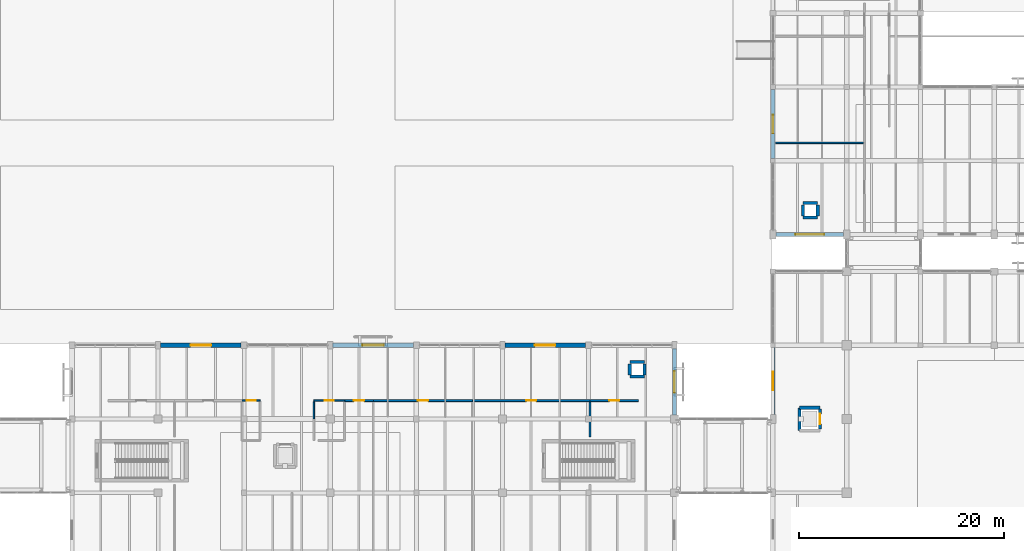
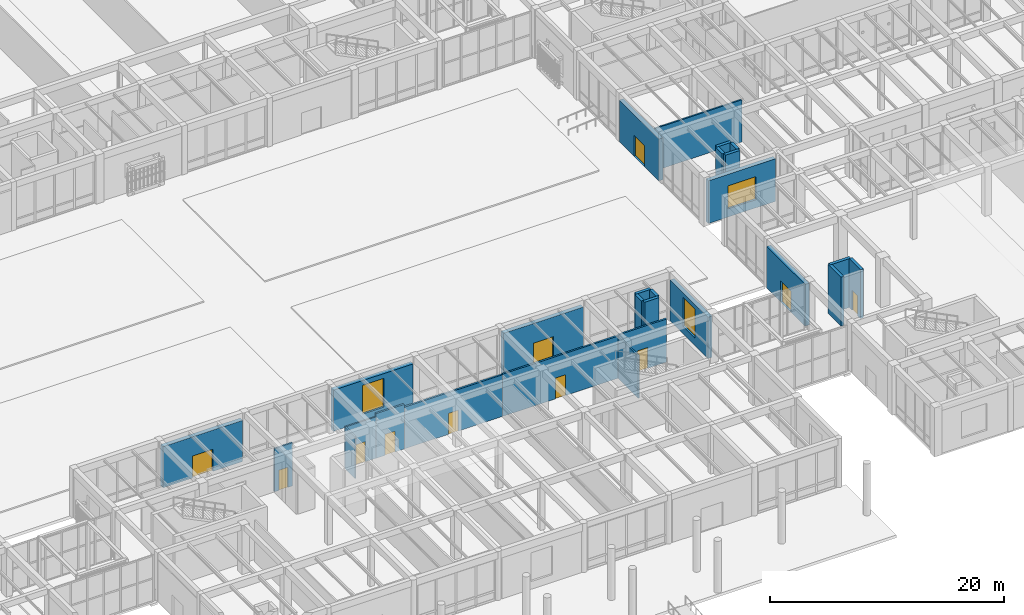
# One storey, part 124 of 169: 27 walls, 11 doors, 3 windows, 14 openings.
"""IFC4 building model written with IfcOpenShell, lengths in metres."""

from ifc_helpers import new_model, si_unit, direction, frame, frame_2d, origin, place, context, subcontext, project, spatial, rectangle, extrude, material, layer, layer_set, type_object, element, fill, save


model = new_model("IFC4")

# Units and contexts
model_context = context("Model", 3, precision=1e-05, world=origin(), true_north=direction((0.0, 1.0)))
body_context = subcontext(model_context, "Body", "Model", "MODEL_VIEW")
ifc_project = project(units=[si_unit("LENGTHUNIT", "METRE"), si_unit("AREAUNIT", "SQUARE_METRE"), si_unit("VOLUMEUNIT", "CUBIC_METRE"), si_unit("PLANEANGLEUNIT", "RADIAN"), si_unit("MASSUNIT", "GRAM", prefix="KILO")], contexts=[model_context])

# Site, building, storey
site_placement = place(None, origin())
site = spatial("IfcSite", under=ifc_project, at=site_placement, CompositionType="ELEMENT")
building_placement = place(site_placement, origin())
building = spatial("IfcBuilding", under=site, at=building_placement, Name="Mazaris Harbour Polytechnic", CompositionType="ELEMENT")
storey_placement = place(building_placement, origin())
storey = spatial("IfcBuildingStorey", under=building, at=storey_placement, Name="L00", CompositionType="ELEMENT", Elevation=0.0)

# Walls
ifc_material_1 = material(Name="Double Gypsum and Mineral Wool")
ifc_layer_1 = layer(ifc_material_1, 0.14990234375, Name="Double Gypsum and Mineral Wool")
ifc_layer_set_1 = layer_set([ifc_layer_1], Name="Double Gypsum and Mineral Wool")
wall_type_1 = type_object("IfcWallType", Name="Classroom Acoustic Partition 150", PredefinedType="PARTITIONING", material=ifc_layer_set_1)
wall_1_placement = place(storey_placement, frame((104.549072265625, 27.054931640625, 0.0), z_axis=(0.0, 0.0, 1.0), x_axis=(0.0, 1.0, 0.0)))
element("IfcWall", 1, at=wall_1_placement, inside=storey, type_object=wall_type_1, Name="V3 L00 Partition 208", PredefinedType="PARTITIONING", context=body_context, shape_type="SweptSolid", body=[
    extrude(rectangle(XDim=3.425048828125, YDim=0.14990234375, at=frame_2d((1.71240234375, 0.0))), origin(), (0.0, 0.0, 1.0), 4.39990234375),
])
wall_2_placement = place(storey_placement, frame((122.64990234375, 55.757080078125, 0.0), z_axis=(0.0, 0.0, 1.0), x_axis=(1.0, 0.0, 0.0)))
element("IfcWall", 2, at=wall_2_placement, inside=storey, type_object=wall_type_1, Name="V5 L00 Partition 545", PredefinedType="PARTITIONING", context=body_context, shape_type="SweptSolid", body=[
    extrude(rectangle(XDim=8.580078125, YDim=0.14990234375, at=frame_2d((4.2900390625, 0.0))), origin(), (0.0, 0.0, 1.0), 4.39990234375),
])

# Wall, opening, door
ifc_material_2 = material(Name="Terracotta Block and Plaster", Category="masonry")
ifc_layer_2 = layer(ifc_material_2, 0.179931640625, Name="Terracotta Block and Plaster")
ifc_layer_set_2 = layer_set([ifc_layer_2], Name="Terracotta Block and Plaster")
wall_type_2 = type_object("IfcWallType", Name="Corridor Fire Partition 180", PredefinedType="PARTITIONING", material=ifc_layer_set_2)
wall_3_placement = place(storey_placement, frame((80.60498046875, 30.60009765625, 0.0), z_axis=(0.0, 0.0, 1.0), x_axis=(1.0, 0.0, 0.0)))
wall_3 = element("IfcWall", 3, at=wall_3_placement, inside=storey, type_object=wall_type_2, Name="V3 L00 Partition 201", PredefinedType="PARTITIONING", context=body_context, shape_type="SweptSolid", body=[
    extrude(rectangle(XDim=2.794921875, YDim=0.179931640625, at=frame_2d((1.3974609375, 0.0))), origin(), (0.0, 0.0, 1.0), 4.64990234375),
])
opening_1_placement = place(wall_3_placement, frame((0.902587890625, 0.0, 0.0)))
opening_1 = element("IfcOpeningElement", 4, at=opening_1_placement, cuts=wall_3, Name="Opening ID-08R", PredefinedType="OPENING", context=body_context, shape_type="SweptSolid", body=[
    extrude(rectangle(XDim=0.989990234375, YDim=2.179931640625, at=frame_2d((0.4951171875, 1.08984375))), frame((0.0, 0.099853515625, 0.0), z_axis=(0.0, -1.0, 0.0), x_axis=(1.0, 0.0, 0.0)), (0.0, 0.0, 1.0), 0.199951171875),
])
ifc_material_3 = material(Name="Solid Oak Timber", Category="wood")
door_type_1 = type_object("IfcDoorType", Name="Seminar Room Door RH 990x2180", OperationType="SINGLE_SWING_RIGHT", PredefinedType="DOOR", material=ifc_material_3)
door_1_placement = place(opening_1_placement, origin())
door_1 = element("IfcDoor", 5, at=door_1_placement, inside=storey, type_object=door_type_1, Name="ID-0092", OperationType="SINGLE_SWING_RIGHT", OverallHeight=2.179931640625, OverallWidth=0.989990234375, PredefinedType="DOOR", context=body_context, shape_type="SweptSolid", body=[
    extrude(rectangle(XDim=0.989990234375, YDim=2.179931640625, at=frame_2d((0.4951171875, 1.08984375))), frame((0.0, 0.02490234375, 0.0), z_axis=(0.0, -1.0, 0.0), x_axis=(1.0, 0.0, 0.0)), (0.0, 0.0, 1.0), 0.050048828125),
])
fill(opening_1, door_1)

wall_4_placement = place(storey_placement, frame((83.405029296875, 30.60009765625, 0.0), z_axis=(0.0, 0.0, 1.0), x_axis=(1.0, 0.0, 0.0)))
wall_4 = element("IfcWall", 6, at=wall_4_placement, inside=storey, type_object=wall_type_2, Name="V3 L00 Partition 203", PredefinedType="PARTITIONING", context=body_context, shape_type="SweptSolid", body=[
    extrude(rectangle(XDim=9.695068359375, YDim=0.179931640625, at=frame_2d((4.84765625, 0.0))), origin(), (0.0, 0.0, 1.0), 4.35009765625),
])
opening_2_placement = place(wall_4_placement, frame((4.357421875, 0.0, 0.0)))
opening_2 = element("IfcOpeningElement", 7, at=opening_2_placement, cuts=wall_4, Name="Opening ID-08L", PredefinedType="OPENING", context=body_context, shape_type="SweptSolid", body=[
    extrude(rectangle(XDim=0.97998046875, YDim=2.179931640625, at=frame_2d((0.489990234375, 1.08984375))), frame((0.0, 0.099853515625, 0.0), z_axis=(0.0, -1.0, 0.0), x_axis=(1.0, 0.0, 0.0)), (0.0, 0.0, 1.0), 0.199951171875),
])
ifc_material_4 = material(Name="Solid Oak Timber", Category="wood")
door_type_2 = type_object("IfcDoorType", Name="Seminar Room Door LH 980x2180", OperationType="SINGLE_SWING_LEFT", PredefinedType="DOOR", material=ifc_material_4)
door_2_placement = place(opening_2_placement, origin())
door_2 = element("IfcDoor", 8, at=door_2_placement, inside=storey, type_object=door_type_2, Name="ID-0093", OperationType="SINGLE_SWING_LEFT", OverallHeight=2.179931640625, OverallWidth=0.97998046875, PredefinedType="DOOR", context=body_context, shape_type="SweptSolid", body=[
    extrude(rectangle(XDim=0.97998046875, YDim=2.179931640625, at=frame_2d((0.489990234375, 1.08984375))), frame((0.0, 0.02490234375, 0.0), z_axis=(0.0, -1.0, 0.0), x_axis=(1.0, 0.0, 0.0)), (0.0, 0.0, 1.0), 0.050048828125),
])
fill(opening_2, door_2)

wall_5_placement = place(storey_placement, frame((93.10498046875, 30.60009765625, 0.0), z_axis=(0.0, 0.0, 1.0), x_axis=(1.0, 0.0, 0.0)))
wall_5 = element("IfcWall", 9, at=wall_5_placement, inside=storey, type_object=wall_type_2, Name="V3 L00 Partition 205", PredefinedType="PARTITIONING", context=body_context, shape_type="SweptSolid", body=[
    extrude(rectangle(XDim=11.444091796875, YDim=0.179931640625, at=frame_2d((5.72216796875, 0.0))), origin(), (0.0, 0.0, 1.0), 4.39990234375),
])
opening_3_placement = place(wall_5_placement, frame((5.22705078125, 0.0, 0.0)))
opening_3 = element("IfcOpeningElement", 10, at=opening_3_placement, cuts=wall_5, Name="Opening ID-08R", PredefinedType="OPENING", context=body_context, shape_type="SweptSolid", body=[
    extrude(rectangle(XDim=0.989990234375, YDim=2.179931640625, at=frame_2d((0.4951171875, 1.08984375))), frame((0.0, 0.099853515625, 0.0), z_axis=(0.0, -1.0, 0.0), x_axis=(1.0, 0.0, 0.0)), (0.0, 0.0, 1.0), 0.199951171875),
])
door_3_placement = place(opening_3_placement, origin())
door_3 = element("IfcDoor", 11, at=door_3_placement, inside=storey, type_object=door_type_1, Name="ID-0094", OperationType="SINGLE_SWING_RIGHT", OverallHeight=2.179931640625, OverallWidth=0.989990234375, PredefinedType="DOOR", context=body_context, shape_type="SweptSolid", body=[
    extrude(rectangle(XDim=0.989990234375, YDim=2.179931640625, at=frame_2d((0.4951171875, 1.08984375))), frame((0.0, 0.02490234375, 0.0), z_axis=(0.0, -1.0, 0.0), x_axis=(1.0, 0.0, 0.0)), (0.0, 0.0, 1.0), 0.050048828125),
])
fill(opening_3, door_3)

wall_6_placement = place(storey_placement, frame((104.553955078125, 30.60009765625, 0.0), z_axis=(0.0, 0.0, 1.0), x_axis=(1.0, 0.0, 0.0)))
wall_6 = element("IfcWall", 12, at=wall_6_placement, inside=storey, type_object=wall_type_2, Name="V3 L00 Partition 207", PredefinedType="PARTITIONING", context=body_context, shape_type="SweptSolid", body=[
    extrude(rectangle(XDim=4.72607421875, YDim=0.179931640625, at=frame_2d((2.363037109375, 0.0))), origin(), (0.0, 0.0, 1.0), 4.5),
])
opening_4_placement = place(wall_6_placement, frame((1.873046875, 0.0, 0.0)))
opening_4 = element("IfcOpeningElement", 13, at=opening_4_placement, cuts=wall_6, Name="Opening ID-08L", PredefinedType="OPENING", context=body_context, shape_type="SweptSolid", body=[
    extrude(rectangle(XDim=0.97998046875, YDim=2.179931640625, at=frame_2d((0.489990234375, 1.08984375))), frame((0.0, 0.099853515625, 0.0), z_axis=(0.0, -1.0, 0.0), x_axis=(1.0, 0.0, 0.0)), (0.0, 0.0, 1.0), 0.199951171875),
])
door_4_placement = place(opening_4_placement, origin())
door_4 = element("IfcDoor", 14, at=door_4_placement, inside=storey, type_object=door_type_2, Name="ID-0095", OperationType="SINGLE_SWING_LEFT", OverallHeight=2.179931640625, OverallWidth=0.97998046875, PredefinedType="DOOR", context=body_context, shape_type="SweptSolid", body=[
    extrude(rectangle(XDim=0.97998046875, YDim=2.179931640625, at=frame_2d((0.489990234375, 1.08984375))), frame((0.0, 0.02490234375, 0.0), z_axis=(0.0, -1.0, 0.0), x_axis=(1.0, 0.0, 0.0)), (0.0, 0.0, 1.0), 0.050048828125),
])
fill(opening_4, door_4)

ifc_material_5 = material(Name="Algerian Buff Limestone and Concrete C35/45", Category="masonry")
ifc_layer_3 = layer(ifc_material_5, 0.409912109375, Name="Algerian Buff Limestone and Concrete C35/45")
ifc_layer_set_3 = layer_set([ifc_layer_3], Name="Algerian Buff Limestone and Concrete C35/45")
wall_type_3 = type_object("IfcWallType", Name="Limestone Rusticated Base Wall 410", PredefinedType="STANDARD", material=ifc_layer_set_3)
wall_7_placement = place(storey_placement, frame((122.39990234375, 29.217041015625, 0.0), z_axis=(0.0, 0.0, 1.0), x_axis=(0.0, 1.0, 0.0)))
wall_7 = element("IfcWall", 15, at=wall_7_placement, inside=storey, type_object=wall_type_3, Name="V2 L00 Exterior Wall 45", PredefinedType="STANDARD", context=body_context, shape_type="SweptSolid", body=[
    extrude(rectangle(XDim=6.56591796875, YDim=0.409912109375, at=frame_2d((3.282958984375, 0.0))), origin(), (0.0, 0.0, 1.0), 4.35009765625),
])
opening_5_placement = place(wall_7_placement, frame((2.383056640625, 0.0, 0.0)))
opening_5 = element("IfcOpeningElement", 16, at=opening_5_placement, cuts=wall_7, Name="Opening ED-03", PredefinedType="OPENING", context=body_context, shape_type="SweptSolid", body=[
    extrude(rectangle(XDim=1.800048828125, YDim=2.199951171875, at=frame_2d((0.89990234375, 1.10009765625))), frame((0.0, 0.21484375, 0.0), z_axis=(0.0, -1.0, 0.0), x_axis=(1.0, 0.0, 0.0)), (0.0, 0.0, 1.0), 0.429931640625),
])
ifc_material_6 = material(Name="Anodised Bronze Steel and Laminated Safety Glass", Category="steel")
door_type_3 = type_object("IfcDoorType", Name="Perimeter Final Exit Door 1800x2200", OperationType="DOUBLE_DOOR_SINGLE_SWING", PredefinedType="DOOR", material=ifc_material_6)
door_5_placement = place(opening_5_placement, origin())
door_5 = element("IfcDoor", 17, at=door_5_placement, inside=storey, type_object=door_type_3, Name="EXD-011", OperationType="DOUBLE_DOOR_SINGLE_SWING", OverallHeight=2.199951171875, OverallWidth=1.800048828125, PredefinedType="DOOR", context=body_context, shape_type="SweptSolid", body=[
    extrude(rectangle(XDim=1.800048828125, YDim=2.199951171875, at=frame_2d((0.89990234375, 1.10009765625))), frame((0.0, 0.02490234375, 0.0), z_axis=(0.0, -1.0, 0.0), x_axis=(1.0, 0.0, 0.0)), (0.0, 0.0, 1.0), 0.050048828125),
])
fill(opening_5, door_5)

wall_8_placement = place(storey_placement, frame((62.64208984375, 36.0, 0.0), z_axis=(0.0, 0.0, 1.0), x_axis=(1.0, 0.0, 0.0)))
wall_8 = element("IfcWall", 18, at=wall_8_placement, inside=storey, type_object=wall_type_3, Name="V3 L00 Exterior Wall 99", PredefinedType="STANDARD", context=body_context, shape_type="SweptSolid", body=[
    extrude(rectangle(XDim=7.865966796875, YDim=0.409912109375, at=frame_2d((3.93310546875, 0.0))), origin(), (0.0, 0.0, 1.0), 4.300048828125),
])
opening_6_placement = place(wall_8_placement, frame((2.93310546875, 0.0, 0.0)))
opening_6 = element("IfcOpeningElement", 19, at=opening_6_placement, cuts=wall_8, Name="Opening ED-02", PredefinedType="OPENING", context=body_context, shape_type="SweptSolid", body=[
    extrude(rectangle(XDim=2.0, YDim=2.300048828125, at=frame_2d((1.0, 1.14990234375))), frame((0.0, 0.21484375, 0.0), z_axis=(0.0, -1.0, 0.0), x_axis=(1.0, 0.0, 0.0)), (0.0, 0.0, 1.0), 0.429931640625),
])
ifc_material_7 = material(Name="Anodised Bronze Steel and Laminated Safety Glass", Category="steel")
door_type_4 = type_object("IfcDoorType", Name="Cloister Court Double Exit Door 2000x2300", OperationType="DOUBLE_DOOR_SINGLE_SWING", PredefinedType="DOOR", material=ifc_material_7)
door_6_placement = place(opening_6_placement, origin())
door_6 = element("IfcDoor", 20, at=door_6_placement, inside=storey, type_object=door_type_4, Name="EXD-016", OperationType="DOUBLE_DOOR_SINGLE_SWING", OverallHeight=2.300048828125, OverallWidth=2.0, PredefinedType="DOOR", context=body_context, shape_type="SweptSolid", body=[
    extrude(rectangle(XDim=2.0, YDim=2.300048828125, at=frame_2d((1.0, 1.14990234375))), frame((0.0, 0.02490234375, 0.0), z_axis=(0.0, -1.0, 0.0), x_axis=(1.0, 0.0, 0.0)), (0.0, 0.0, 1.0), 0.050048828125),
])
fill(opening_6, door_6)

# Wall, opening, window
wall_9_placement = place(storey_placement, frame((79.44189453125, 36.0, 0.0), z_axis=(0.0, 0.0, 1.0), x_axis=(1.0, 0.0, 0.0)))
wall_9 = element("IfcWall", 21, at=wall_9_placement, inside=storey, type_object=wall_type_3, Name="V3 L00 Exterior Wall 100", PredefinedType="STANDARD", context=body_context, shape_type="SweptSolid", body=[
    extrude(rectangle(XDim=7.8662109375, YDim=0.409912109375, at=frame_2d((3.93310546875, 0.0))), origin(), (0.0, 0.0, 1.0), 4.300048828125),
])
opening_7_placement = place(wall_9_placement, frame((2.883056640625, 0.0, 0.800048828125)))
opening_7 = element("IfcOpeningElement", 22, at=opening_7_placement, cuts=wall_9, Name="Opening WN-05", PredefinedType="OPENING", context=body_context, shape_type="SweptSolid", body=[
    extrude(rectangle(XDim=2.10009765625, YDim=3.0, at=frame_2d((1.050048828125, 1.5))), frame((0.0, 0.21484375, 0.0), z_axis=(0.0, -1.0, 0.0), x_axis=(1.0, 0.0, 0.0)), (0.0, 0.0, 1.0), 0.429931640625),
])
ifc_material_8 = material(Name="Thermally Broken Bronze Aluminium and Low-E Glass", Category="aluminium")
window_type_1 = type_object("IfcWindowType", Name="Podium Arch-Head Window 2100x3000", PartitioningType="DOUBLE_PANEL_VERTICAL", PredefinedType="WINDOW", material=ifc_material_8)
window_1_placement = place(opening_7_placement, origin())
window_1 = element("IfcWindow", 23, at=window_1_placement, inside=storey, type_object=window_type_1, Name="WN-0110", OverallHeight=3.0, OverallWidth=2.10009765625, PartitioningType="DOUBLE_PANEL_VERTICAL", PredefinedType="WINDOW", context=body_context, shape_type="SweptSolid", body=[
    extrude(rectangle(XDim=2.10009765625, YDim=3.0, at=frame_2d((1.050048828125, 1.5))), frame((0.0, 0.030029296875, 0.0), z_axis=(0.0, -1.0, 0.0), x_axis=(1.0, 0.0, 0.0)), (0.0, 0.0, 1.0), 0.06005859375),
])
fill(opening_7, window_1)

# Wall, opening, door
wall_10_placement = place(storey_placement, frame((96.241943359375, 36.0, 0.0), z_axis=(0.0, 0.0, 1.0), x_axis=(1.0, 0.0, 0.0)))
wall_10 = element("IfcWall", 24, at=wall_10_placement, inside=storey, type_object=wall_type_3, Name="V3 L00 Exterior Wall 101", PredefinedType="STANDARD", context=body_context, shape_type="SweptSolid", body=[
    extrude(rectangle(XDim=7.865966796875, YDim=0.409912109375, at=frame_2d((3.93310546875, 0.0))), origin(), (0.0, 0.0, 1.0), 4.35009765625),
])
opening_8_placement = place(wall_10_placement, frame((2.93310546875, 0.0, 0.0)))
opening_8 = element("IfcOpeningElement", 25, at=opening_8_placement, cuts=wall_10, Name="Opening ED-02", PredefinedType="OPENING", context=body_context, shape_type="SweptSolid", body=[
    extrude(rectangle(XDim=2.0, YDim=2.300048828125, at=frame_2d((1.0, 1.14990234375))), frame((0.0, 0.21484375, 0.0), z_axis=(0.0, -1.0, 0.0), x_axis=(1.0, 0.0, 0.0)), (0.0, 0.0, 1.0), 0.429931640625),
])
door_7_placement = place(opening_8_placement, origin())
door_7 = element("IfcDoor", 26, at=door_7_placement, inside=storey, type_object=door_type_4, Name="EXD-017", OperationType="DOUBLE_DOOR_SINGLE_SWING", OverallHeight=2.300048828125, OverallWidth=2.0, PredefinedType="DOOR", context=body_context, shape_type="SweptSolid", body=[
    extrude(rectangle(XDim=2.0, YDim=2.300048828125, at=frame_2d((1.0, 1.14990234375))), frame((0.0, 0.02490234375, 0.0), z_axis=(0.0, -1.0, 0.0), x_axis=(1.0, 0.0, 0.0)), (0.0, 0.0, 1.0), 0.050048828125),
])
fill(opening_8, door_7)

# Wall, opening, window
wall_11_placement = place(storey_placement, frame((112.800048828125, 35.657958984375, 0.0), z_axis=(0.0, 0.0, 1.0), x_axis=(0.0, -1.0, 0.0)))
wall_11 = element("IfcWall", 27, at=wall_11_placement, inside=storey, type_object=wall_type_3, Name="V3 L00 Exterior Wall 107", PredefinedType="STANDARD", context=body_context, shape_type="SweptSolid", body=[
    extrude(rectangle(XDim=6.466064453125, YDim=0.409912109375, at=frame_2d((3.23291015625, 0.0))), origin(), (0.0, 0.0, 1.0), 4.300048828125),
])
opening_9_placement = place(wall_11_placement, frame((2.18310546875, 0.0, 0.800048828125)))
opening_9 = element("IfcOpeningElement", 28, at=opening_9_placement, cuts=wall_11, Name="Opening WN-05", PredefinedType="OPENING", context=body_context, shape_type="SweptSolid", body=[
    extrude(rectangle(XDim=2.10009765625, YDim=3.0, at=frame_2d((1.050048828125, 1.5))), frame((0.0, 0.21484375, 0.0), z_axis=(0.0, -1.0, 0.0), x_axis=(1.0, 0.0, 0.0)), (0.0, 0.0, 1.0), 0.429931640625),
])
window_2_placement = place(opening_9_placement, origin())
window_2 = element("IfcWindow", 29, at=window_2_placement, inside=storey, type_object=window_type_1, Name="WN-0114", OverallHeight=3.0, OverallWidth=2.10009765625, PartitioningType="DOUBLE_PANEL_VERTICAL", PredefinedType="WINDOW", context=body_context, shape_type="SweptSolid", body=[
    extrude(rectangle(XDim=2.10009765625, YDim=3.0, at=frame_2d((1.050048828125, 1.5))), frame((0.0, 0.030029296875, 0.0), z_axis=(0.0, -1.0, 0.0), x_axis=(1.0, 0.0, 0.0)), (0.0, 0.0, 1.0), 0.06005859375),
])
fill(opening_9, window_2)

wall_12_placement = place(storey_placement, frame((129.30810546875, 46.800048828125, 0.0), z_axis=(0.0, 0.0, 1.0), x_axis=(-1.0, 0.0, 0.0)))
wall_12 = element("IfcWall", 30, at=wall_12_placement, inside=storey, type_object=wall_type_3, Name="V5 L00 Exterior Wall 289", PredefinedType="STANDARD", context=body_context, shape_type="SweptSolid", body=[
    extrude(rectangle(XDim=6.6162109375, YDim=0.409912109375, at=frame_2d((3.30810546875, 0.0))), origin(), (0.0, 0.0, 1.0), 4.449951171875),
])
opening_10_placement = place(wall_12_placement, frame((1.907958984375, 0.0, 0.85009765625)))
opening_10 = element("IfcOpeningElement", 31, at=opening_10_placement, cuts=wall_12, Name="Opening WN-09", PredefinedType="OPENING", context=body_context, shape_type="SweptSolid", body=[
    extrude(rectangle(XDim=2.800048828125, YDim=2.39990234375, at=frame_2d((1.39990234375, 1.199951171875))), frame((0.0, 0.21484375, 0.0), z_axis=(0.0, -1.0, 0.0), x_axis=(1.0, 0.0, 0.0)), (0.0, 0.0, 1.0), 0.429931640625),
])
ifc_material_9 = material(Name="Thermally Broken Bronze Aluminium and Low-E Glass", Category="aluminium")
window_type_2 = type_object("IfcWindowType", Name="Studio North Window 2800x2400", PartitioningType="DOUBLE_PANEL_VERTICAL", PredefinedType="WINDOW", material=ifc_material_9)
window_3_placement = place(opening_10_placement, origin())
window_3 = element("IfcWindow", 32, at=window_3_placement, inside=storey, type_object=window_type_2, Name="WN-0348", OverallHeight=2.39990234375, OverallWidth=2.800048828125, PartitioningType="DOUBLE_PANEL_VERTICAL", PredefinedType="WINDOW", context=body_context, shape_type="SweptSolid", body=[
    extrude(rectangle(XDim=2.800048828125, YDim=2.39990234375, at=frame_2d((1.39990234375, 1.199951171875))), frame((0.0, 0.030029296875, 0.0), z_axis=(0.0, -1.0, 0.0), x_axis=(1.0, 0.0, 0.0)), (0.0, 0.0, 1.0), 0.06005859375),
])
fill(opening_10, window_3)

# Wall, opening, door
wall_13_placement = place(storey_placement, frame((122.39990234375, 54.217041015625, 0.0), z_axis=(0.0, 0.0, 1.0), x_axis=(0.0, 1.0, 0.0)))
wall_13 = element("IfcWall", 33, at=wall_13_placement, inside=storey, type_object=wall_type_3, Name="V5 L00 Exterior Wall 298", PredefinedType="STANDARD", context=body_context, shape_type="SweptSolid", body=[
    extrude(rectangle(XDim=6.740966796875, YDim=0.409912109375, at=frame_2d((3.37060546875, 0.0))), origin(), (0.0, 0.0, 1.0), 4.35009765625),
])
opening_11_placement = place(wall_13_placement, frame((2.470458984375, 0.0, 0.0)))
opening_11 = element("IfcOpeningElement", 34, at=opening_11_placement, cuts=wall_13, Name="Opening ED-03", PredefinedType="OPENING", context=body_context, shape_type="SweptSolid", body=[
    extrude(rectangle(XDim=1.800048828125, YDim=2.199951171875, at=frame_2d((0.89990234375, 1.10009765625))), frame((0.0, 0.21484375, 0.0), z_axis=(0.0, -1.0, 0.0), x_axis=(1.0, 0.0, 0.0)), (0.0, 0.0, 1.0), 0.429931640625),
])
door_8_placement = place(opening_11_placement, origin())
door_8 = element("IfcDoor", 35, at=door_8_placement, inside=storey, type_object=door_type_3, Name="EXD-032", OperationType="DOUBLE_DOOR_SINGLE_SWING", OverallHeight=2.199951171875, OverallWidth=1.800048828125, PredefinedType="DOOR", context=body_context, shape_type="SweptSolid", body=[
    extrude(rectangle(XDim=1.800048828125, YDim=2.199951171875, at=frame_2d((0.89990234375, 1.10009765625))), frame((0.0, 0.02490234375, 0.0), z_axis=(0.0, -1.0, 0.0), x_axis=(1.0, 0.0, 0.0)), (0.0, 0.0, 1.0), 0.050048828125),
])
fill(opening_11, door_8)

# Walls
ifc_material_10 = material(Name="Concrete C40/50", Category="concrete")
ifc_layer_4 = layer(ifc_material_10, 0.300048828125, Name="Concrete C40/50")
ifc_layer_set_4 = layer_set([ifc_layer_4], Name="Concrete C40/50")
wall_type_4 = type_object("IfcWallType", Name="RC Lift Shaft Wall 300", PredefinedType="SHEAR", material=ifc_layer_set_4)
wall_14_placement = place(storey_placement, frame((108.429931640625, 32.929931640625, 0.0), z_axis=(0.0, 0.0, 1.0), x_axis=(1.0, 0.0, 0.0)))
element("IfcWall", 36, at=wall_14_placement, inside=storey, type_object=wall_type_4, Name="V3 L00 Riser Enclosure Wall 2-1", PredefinedType="SHEAR", context=body_context, shape_type="SweptSolid", body=[
    extrude(rectangle(XDim=1.420166015625, YDim=0.300048828125, at=frame_2d((0.7099609375, 0.0))), origin(), (0.0, 0.0, 1.0), 5.159912109375),
])
wall_15_placement = place(storey_placement, frame((109.85009765625, 33.090087890625, 0.0), z_axis=(0.0, 0.0, 1.0), x_axis=(0.0, 1.0, 0.0)))
element("IfcWall", 37, at=wall_15_placement, inside=storey, type_object=wall_type_4, Name="V3 L00 Riser Enclosure Wall 2-2", PredefinedType="SHEAR", context=body_context, shape_type="SweptSolid", body=[
    extrude(rectangle(XDim=1.099853515625, YDim=0.300048828125, at=frame_2d((0.5498046875, 0.0))), origin(), (0.0, 0.0, 1.0), 5.159912109375),
])
wall_16_placement = place(storey_placement, frame((109.85009765625, 34.35009765625, 0.0), z_axis=(0.0, 0.0, 1.0), x_axis=(-1.0, 0.0, 0.0)))
element("IfcWall", 38, at=wall_16_placement, inside=storey, type_object=wall_type_4, Name="V3 L00 Riser Enclosure Wall 2-3", PredefinedType="SHEAR", context=body_context, shape_type="SweptSolid", body=[
    extrude(rectangle(XDim=1.420166015625, YDim=0.300048828125, at=frame_2d((0.7099609375, 0.0))), origin(), (0.0, 0.0, 1.0), 5.159912109375),
])
wall_17_placement = place(storey_placement, frame((108.429931640625, 34.18994140625, 0.0), z_axis=(0.0, 0.0, 1.0), x_axis=(0.0, -1.0, 0.0)))
element("IfcWall", 39, at=wall_17_placement, inside=storey, type_object=wall_type_4, Name="V3 L00 Riser Enclosure Wall 2-4", PredefinedType="SHEAR", context=body_context, shape_type="SweptSolid", body=[
    extrude(rectangle(XDim=1.099853515625, YDim=0.300048828125, at=frame_2d((0.5498046875, 0.0))), origin(), (0.0, 0.0, 1.0), 5.159912109375),
])
wall_18_placement = place(storey_placement, frame((125.35009765625, 48.449951171875, 0.0), z_axis=(0.0, 0.0, 1.0), x_axis=(1.0, 0.0, 0.0)))
element("IfcWall", 40, at=wall_18_placement, inside=storey, type_object=wall_type_4, Name="V5 L00 Riser Enclosure Wall 1-1", PredefinedType="SHEAR", context=body_context, shape_type="SweptSolid", body=[
    extrude(rectangle(XDim=1.419921875, YDim=0.300048828125, at=frame_2d((0.7099609375, 0.0))), origin(), (0.0, 0.0, 1.0), 5.159912109375),
])
wall_19_placement = place(storey_placement, frame((126.77001953125, 48.610107421875, 0.0), z_axis=(0.0, 0.0, 1.0), x_axis=(0.0, 1.0, 0.0)))
element("IfcWall", 41, at=wall_19_placement, inside=storey, type_object=wall_type_4, Name="V5 L00 Riser Enclosure Wall 1-2", PredefinedType="SHEAR", context=body_context, shape_type="SweptSolid", body=[
    extrude(rectangle(XDim=1.099853515625, YDim=0.300048828125, at=frame_2d((0.5498046875, 0.0))), origin(), (0.0, 0.0, 1.0), 5.159912109375),
])
wall_20_placement = place(storey_placement, frame((126.77001953125, 49.8701171875, 0.0), z_axis=(0.0, 0.0, 1.0), x_axis=(-1.0, 0.0, 0.0)))
element("IfcWall", 42, at=wall_20_placement, inside=storey, type_object=wall_type_4, Name="V5 L00 Riser Enclosure Wall 1-3", PredefinedType="SHEAR", context=body_context, shape_type="SweptSolid", body=[
    extrude(rectangle(XDim=1.419921875, YDim=0.300048828125, at=frame_2d((0.7099609375, 0.0))), origin(), (0.0, 0.0, 1.0), 5.159912109375),
])
wall_21_placement = place(storey_placement, frame((125.35009765625, 49.7099609375, 0.0), z_axis=(0.0, 0.0, 1.0), x_axis=(0.0, -1.0, 0.0)))
element("IfcWall", 43, at=wall_21_placement, inside=storey, type_object=wall_type_4, Name="V5 L00 Riser Enclosure Wall 1-4", PredefinedType="SHEAR", context=body_context, shape_type="SweptSolid", body=[
    extrude(rectangle(XDim=1.099853515625, YDim=0.300048828125, at=frame_2d((0.5498046875, 0.0))), origin(), (0.0, 0.0, 1.0), 5.159912109375),
])
wall_22_placement = place(storey_placement, frame((127.0, 29.89990234375, 0.0), z_axis=(0.0, 0.0, 1.0), x_axis=(-1.0, 0.0, 0.0)))
element("IfcWall", 44, at=wall_22_placement, inside=storey, type_object=wall_type_4, Name="Lift LP-02 L00 North Shaft Wall", PredefinedType="SHEAR", context=body_context, shape_type="SweptSolid", body=[
    extrude(rectangle(XDim=2.0, YDim=0.300048828125, at=frame_2d((1.0, 0.0))), origin(), (0.0, 0.0, 1.0), 5.10009765625),
])
wall_23_placement = place(storey_placement, frame((125.0, 29.89990234375, 0.0), z_axis=(0.0, 0.0, 1.0), x_axis=(0.0, -1.0, 0.0)))
element("IfcWall", 45, at=wall_23_placement, inside=storey, type_object=wall_type_4, Name="Lift LP-02 L00 West Shaft Wall", PredefinedType="SHEAR", context=body_context, shape_type="SweptSolid", body=[
    extrude(rectangle(XDim=2.199951171875, YDim=0.300048828125, at=frame_2d((1.10009765625, 0.0))), origin(), (0.0, 0.0, 1.0), 5.10009765625),
])

# Wall, opening, door
wall_24_placement = place(storey_placement, frame((127.0, 29.760009765625, 0.0), z_axis=(0.0, 0.0, 1.0), x_axis=(0.0, -1.0, 0.0)))
wall_24 = element("IfcWall", 46, at=wall_24_placement, inside=storey, type_object=wall_type_4, Name="Lift LP-02 L00 Front Shaft Wall", PredefinedType="SHEAR", context=body_context, shape_type="SweptSolid", body=[
    extrude(rectangle(XDim=1.919921875, YDim=0.300048828125, at=frame_2d((0.9599609375, 0.0))), origin(), (0.0, 0.0, 1.0), 5.10009765625),
])
opening_12_placement = place(wall_24_placement, frame((0.4599609375, 0.0, 0.0)))
opening_12 = element("IfcOpeningElement", 47, at=opening_12_placement, cuts=wall_24, Name="Opening LD-01", PredefinedType="OPENING", context=body_context, shape_type="SweptSolid", body=[
    extrude(rectangle(XDim=1.0, YDim=2.10009765625, at=frame_2d((0.5, 1.050048828125))), frame((0.0, 0.159912109375, 0.0), z_axis=(0.0, -1.0, 0.0), x_axis=(1.0, 0.0, 0.0)), (0.0, 0.0, 1.0), 0.320068359375),
])
ifc_material_11 = material(Name="Stainless Steel S355", Category="steel")
door_type_5 = type_object("IfcDoorType", Name="Sliding Passenger Lift Landing Door 1000x2100", OperationType="SLIDING_TO_LEFT", PredefinedType="DOOR", material=ifc_material_11)
door_9_placement = place(opening_12_placement, origin())
door_9 = element("IfcDoor", 48, at=door_9_placement, inside=storey, type_object=door_type_5, Name="LD-021", OperationType="SLIDING_TO_LEFT", OverallHeight=2.10009765625, OverallWidth=1.0, PredefinedType="DOOR", context=body_context, shape_type="SweptSolid", body=[
    extrude(rectangle(XDim=1.0, YDim=2.10009765625, at=frame_2d((0.5, 1.050048828125))), frame((0.0, 0.02490234375, 0.0), z_axis=(0.0, -1.0, 0.0), x_axis=(1.0, 0.0, 0.0)), (0.0, 0.0, 1.0), 0.050048828125),
])
fill(opening_12, door_9)

ifc_material_12 = material(Name="Moisture-Resistant Gypsum and Steel Stud", Category="steel")
ifc_layer_5 = layer(ifc_material_12, 0.14501953125, Name="Moisture-Resistant Gypsum and Steel Stud")
ifc_layer_set_5 = layer_set([ifc_layer_5], Name="Moisture-Resistant Gypsum and Steel Stud")
wall_type_5 = type_object("IfcWallType", Name="Sanitary Plumbing Wall 145", PredefinedType="PLUMBINGWALL", material=ifc_layer_set_5)
wall_25_placement = place(storey_placement, frame((70.60009765625, 30.60009765625, 0.0), z_axis=(0.0, 0.0, 1.0), x_axis=(1.0, 0.0, 0.0)))
wall_25 = element("IfcWall", 49, at=wall_25_placement, inside=storey, type_object=wall_type_5, Name="V3 L00 Partition 190", PredefinedType="PLUMBINGWALL", context=body_context, shape_type="SweptSolid", body=[
    extrude(rectangle(XDim=1.760009765625, YDim=0.14501953125, at=frame_2d((0.8798828125, 0.0))), origin(), (0.0, 0.0, 1.0), 4.5),
])
opening_13_placement = place(wall_25_placement, frame((0.429931640625, 0.0, 0.0)))
opening_13 = element("IfcOpeningElement", 50, at=opening_13_placement, cuts=wall_25, Name="Opening ID-07R", PredefinedType="OPENING", context=body_context, shape_type="SweptSolid", body=[
    extrude(rectangle(XDim=0.89990234375, YDim=2.10009765625, at=frame_2d((0.449951171875, 1.050048828125))), frame((0.0, 0.08251953125, 0.0), z_axis=(0.0, -1.0, 0.0), x_axis=(1.0, 0.0, 0.0)), (0.0, 0.0, 1.0), 0.1650390625),
])
ifc_material_13 = material(Name="Moisture-Resistant Laminate Timber", Category="wood")
door_type_6 = type_object("IfcDoorType", Name="Sanitary Room Door RH 900x2100", OperationType="SINGLE_SWING_RIGHT", PredefinedType="DOOR", material=ifc_material_13)
door_10_placement = place(opening_13_placement, origin())
door_10 = element("IfcDoor", 51, at=door_10_placement, inside=storey, type_object=door_type_6, Name="ID-0088", OperationType="SINGLE_SWING_RIGHT", OverallHeight=2.10009765625, OverallWidth=0.89990234375, PredefinedType="DOOR", context=body_context, shape_type="SweptSolid", body=[
    extrude(rectangle(XDim=0.89990234375, YDim=2.10009765625, at=frame_2d((0.449951171875, 1.050048828125))), frame((0.0, 0.02490234375, 0.0), z_axis=(0.0, -1.0, 0.0), x_axis=(1.0, 0.0, 0.0)), (0.0, 0.0, 1.0), 0.050048828125),
])
fill(opening_13, door_10)

wall_26_placement = place(storey_placement, frame((77.60009765625, 30.60009765625, 0.0), z_axis=(0.0, 0.0, 1.0), x_axis=(1.0, 0.0, 0.0)))
wall_26 = element("IfcWall", 52, at=wall_26_placement, inside=storey, type_object=wall_type_5, Name="V3 L00 Partition 192", PredefinedType="PLUMBINGWALL", context=body_context, shape_type="SweptSolid", body=[
    extrude(rectangle(XDim=3.0, YDim=0.14501953125, at=frame_2d((1.5, 0.0))), origin(), (0.0, 0.0, 1.0), 4.300048828125),
])
opening_14_placement = place(wall_26_placement, frame((1.0400390625, 0.0, 0.0)))
opening_14 = element("IfcOpeningElement", 53, at=opening_14_placement, cuts=wall_26, Name="Opening ID-07L", PredefinedType="OPENING", context=body_context, shape_type="SweptSolid", body=[
    extrude(rectangle(XDim=0.919921875, YDim=2.10009765625, at=frame_2d((0.4599609375, 1.050048828125))), frame((0.0, 0.08251953125, 0.0), z_axis=(0.0, -1.0, 0.0), x_axis=(1.0, 0.0, 0.0)), (0.0, 0.0, 1.0), 0.1650390625),
])
ifc_material_14 = material(Name="Moisture-Resistant Laminate Timber", Category="wood")
door_type_7 = type_object("IfcDoorType", Name="Accessible Toilet Door LH 920x2100", OperationType="SINGLE_SWING_LEFT", PredefinedType="DOOR", material=ifc_material_14)
door_11_placement = place(opening_14_placement, origin())
door_11 = element("IfcDoor", 54, at=door_11_placement, inside=storey, type_object=door_type_7, Name="ID-0089", OperationType="SINGLE_SWING_LEFT", OverallHeight=2.10009765625, OverallWidth=0.919921875, PredefinedType="DOOR", context=body_context, shape_type="SweptSolid", body=[
    extrude(rectangle(XDim=0.919921875, YDim=2.10009765625, at=frame_2d((0.4599609375, 1.050048828125))), frame((0.0, 0.02490234375, 0.0), z_axis=(0.0, -1.0, 0.0), x_axis=(1.0, 0.0, 0.0)), (0.0, 0.0, 1.0), 0.050048828125),
])
fill(opening_14, door_11)

# Wall
wall_27_placement = place(storey_placement, frame((77.60009765625, 28.804931640625, 0.0), z_axis=(0.0, 0.0, 1.0), x_axis=(0.0, 1.0, 0.0)))
element("IfcWall", 55, at=wall_27_placement, inside=storey, type_object=wall_type_5, Name="V3 L00 Partition 193", PredefinedType="PLUMBINGWALL", context=body_context, shape_type="SweptSolid", body=[
    extrude(rectangle(XDim=1.675048828125, YDim=0.14501953125, at=frame_2d((0.83740234375, 0.0))), origin(), (0.0, 0.0, 1.0), 4.35009765625),
])

save(model, "model.ifc")
